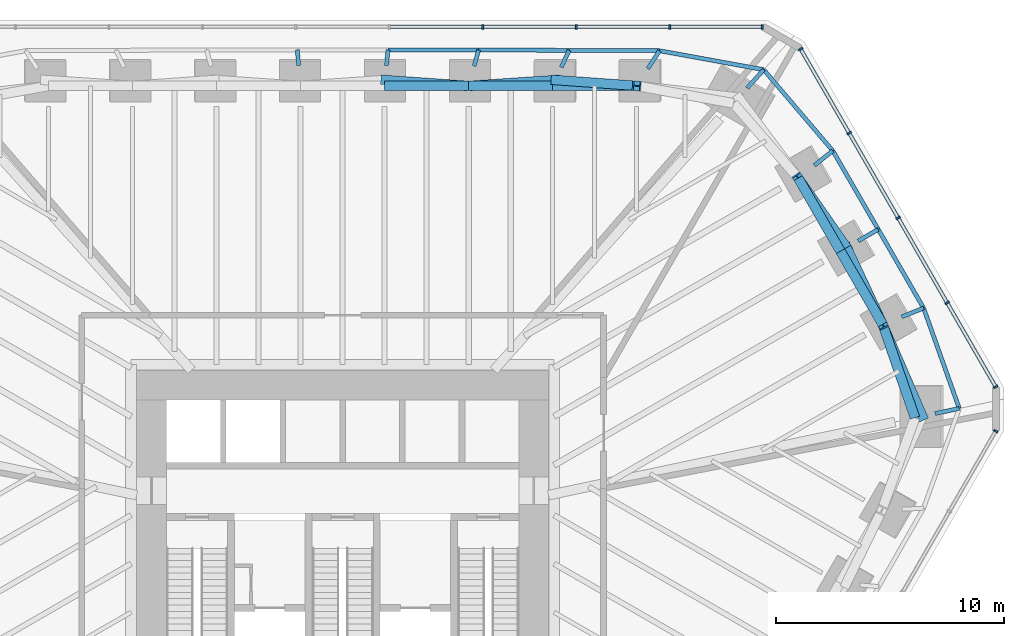
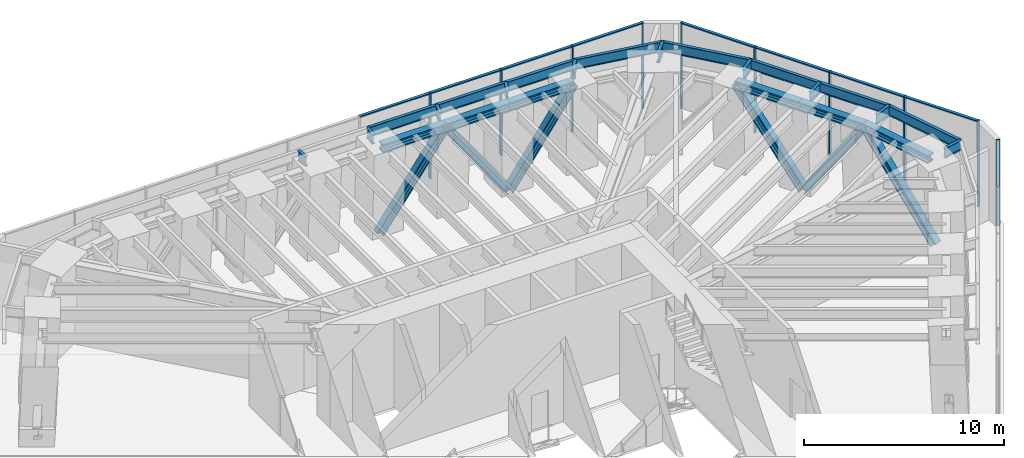
# One storey, part 8 of 12: 24 beams, 24 members, 3 elements without a shape of their own.
"""IFC4 building model written with IfcOpenShell, lengths in metres."""

from ifc_helpers import new_model, si_unit, direction, frame, origin, origin_2d, place, context, subcontext, project, spatial, rectangle, i_section, extrude, material, material_profile, profile_set, type_object, element, aggregate, save


model = new_model("IFC4")

# Units and contexts
model_context = context("Model", 3, precision=1e-05, world=origin(), true_north=direction((0.0, 1.0)))
body_context = subcontext(model_context, "Body", "Model", "MODEL_VIEW")
ifc_project = project(units=[si_unit("LENGTHUNIT", "METRE"), si_unit("AREAUNIT", "SQUARE_METRE"), si_unit("VOLUMEUNIT", "CUBIC_METRE"), si_unit("PLANEANGLEUNIT", "RADIAN"), si_unit("MASSUNIT", "GRAM", prefix="KILO")], contexts=[model_context])

# Site, building, storey
site_placement = place(None, origin())
site = spatial("IfcSite", under=ifc_project, at=site_placement, CompositionType="ELEMENT")
building_placement = place(site_placement, origin())
building = spatial("IfcBuilding", under=site, at=building_placement, Name="Sandreach Pilgrim Tower", CompositionType="ELEMENT")
storey_placement = place(building_placement, frame((0.0, 0.0, 172.800048828125)))
storey = spatial("IfcBuildingStorey", under=building, at=storey_placement, Name="L43", CompositionType="ELEMENT", Elevation=172.800048828125)

# Beams
ifc_material_1 = material(Name="Steel ASTM A913 Grade 65", Category="steel")
ifc_material_profile_1 = material_profile(ifc_material_1, i_section(OverallWidth=0.4267578125, OverallDepth=0.482666015625, WebThickness=0.05126953125, FlangeThickness=0.08154296875, at=origin_2d()), Name="W14X455")
ifc_profile_set_1 = profile_set([ifc_material_profile_1], Name="Steel ASTM A913 Grade 65")
beam_type_1 = type_object("IfcBeamType", Name="Belt truss chord W14X455", PredefinedType="BEAM", material=ifc_profile_set_1)
beam_1_placement = place(storey_placement, frame((1.84619140625, 19.900146484375, 4.99853515625), z_axis=(1.0, 0.0, 0.0), x_axis=(0.0, 1.0, 0.0)))
element("IfcBeam", 1, at=beam_1_placement, inside=storey, type_object=beam_type_1, Name="BM L43 BTT05", PredefinedType="BEAM", context=body_context, shape_type="SweptSolid", body=[
    extrude(i_section(OverallWidth=0.4267578125, OverallDepth=0.482666015625, WebThickness=0.05126953125, FlangeThickness=0.08154296875, at=origin_2d()), origin(), (0.0, 0.0, 1.0), 3.692626953125),
])
beam_2_placement = place(storey_placement, frame((5.538818359375, 19.900146484375, 4.99853515625), z_axis=(1.0, 0.0, 0.0), x_axis=(0.0, 1.0, 0.0)))
element("IfcBeam", 2, at=beam_2_placement, inside=storey, type_object=beam_type_1, Name="BM L43 BTT06", PredefinedType="BEAM", context=body_context, shape_type="SweptSolid", body=[
    extrude(i_section(OverallWidth=0.4267578125, OverallDepth=0.482666015625, WebThickness=0.05126953125, FlangeThickness=0.08154296875, at=origin_2d()), origin(), (0.0, 0.0, 1.0), 3.6923828125),
])
beam_3_placement = place(storey_placement, frame((9.231201171875, 19.900146484375, 4.99853515625), z_axis=(1.0, 0.0, 0.0), x_axis=(0.0, 1.0, 0.0)))
element("IfcBeam", 3, at=beam_3_placement, inside=storey, type_object=beam_type_1, Name="BM L43 BTT07", PredefinedType="BEAM", context=body_context, shape_type="SweptSolid", body=[
    extrude(i_section(OverallWidth=0.4267578125, OverallDepth=0.482666015625, WebThickness=0.05126953125, FlangeThickness=0.08154296875, at=origin_2d()), origin(), (0.0, 0.0, 1.0), 3.692626953125),
])
for number, where, z_axis, x_axis, name in (
    (4, (20.025146484375, 15.845947265625, 4.99853515625), (0.499995842751, -0.86602780396, 0.0), (0.86602780396, 0.499995842751, 0.0), "BM L43 BTT10"),
    (5, (21.88037109375, 12.632568359375, 4.99853515625), (0.499946491854, -0.866056294523, 0.0), (0.866056294523, 0.499946491854, 0.0), "BM L43 BTT11"),
):
    element("IfcBeam", number, at=place(storey_placement, frame(where, z_axis=z_axis, x_axis=x_axis)), inside=storey, type_object=beam_type_1, Name=name, PredefinedType="BEAM", context=body_context, shape_type="SweptSolid", body=[
        extrude(i_section(OverallWidth=0.4267578125, OverallDepth=0.482666015625, WebThickness=0.05126953125, FlangeThickness=0.08154296875, at=origin_2d()), origin(), (0.0, 0.0, 1.0), 3.71044921875),
    ])
beam_4_placement = place(storey_placement, frame((23.7353515625, 9.419189453125, 4.99853515625), z_axis=(0.326940800053, -0.945044820768, 0.0), x_axis=(0.945044820768, 0.326940800053, 0.0)))
element("IfcBeam", 6, at=beam_4_placement, inside=storey, type_object=beam_type_1, Name="BM L43 BTT12", PredefinedType="BEAM", context=body_context, shape_type="SweptSolid", body=[
    extrude(i_section(OverallWidth=0.4267578125, OverallDepth=0.482666015625, WebThickness=0.05126953125, FlangeThickness=0.08154296875, at=origin_2d()), origin(), (0.0, 0.0, 1.0), 4.3466796875),
])

# Members
ifc_material_2 = material(Name="Steel ASTM A913 Grade 65", Category="steel")
ifc_material_profile_2 = material_profile(ifc_material_2, i_section(OverallWidth=0.419189453125, OverallDepth=0.45458984375, WebThickness=0.042236328125, FlangeThickness=0.067626953125, at=origin_2d()), Name="W14X370")
ifc_profile_set_2 = profile_set([ifc_material_profile_2], Name="Steel ASTM A913 Grade 65")
member_type_1 = type_object("IfcMemberType", Name="Belt truss diagonal W14X370", PredefinedType="BRACE", material=ifc_profile_set_2)
member_1_placement = place(storey_placement, frame((1.869873046875, 20.155517578125, -0.4013671875), z_axis=(0.561567506421, -0.039087011693, 0.826507193707), x_axis=(0.069435415595, 0.997586448916, 0.0)))
element("IfcMember", 7, at=member_1_placement, inside=storey, type_object=member_type_1, Name="Belt truss diagonal L43 bay 05", PredefinedType="BRACE", context=body_context, shape_type="SweptSolid", body=[
    extrude(i_section(OverallWidth=0.419189453125, OverallDepth=0.45458984375, WebThickness=0.042236328125, FlangeThickness=0.067626953125, at=origin_2d()), origin(), (0.0, 0.0, 1.0), 6.533447265625),
])
member_2_placement = place(storey_placement, frame((5.538818359375, 19.900146484375, 4.99853515625), z_axis=(0.576161890915, 0.038610118387, -0.816423134297), x_axis=(-0.06686265931, 0.997762188495, 0.0)))
element("IfcMember", 8, at=member_2_placement, inside=storey, type_object=member_type_1, Name="Belt truss diagonal L43 bay 06", PredefinedType="BRACE", context=body_context, shape_type="SweptSolid", body=[
    extrude(i_section(OverallWidth=0.419189453125, OverallDepth=0.45458984375, WebThickness=0.042236328125, FlangeThickness=0.067626953125, at=origin_2d()), origin(), (0.0, 0.0, 1.0), 6.614013671875),
])
member_3_placement = place(storey_placement, frame((9.349609375, 20.155517578125, -0.4013671875), z_axis=(0.551519183213, -0.039404990822, 0.833230962726), x_axis=(0.07126641754, 0.997457316245, 0.0)))
element("IfcMember", 9, at=member_3_placement, inside=storey, type_object=member_type_1, Name="Belt truss diagonal L43 bay 07", PredefinedType="BRACE", context=body_context, shape_type="SweptSolid", body=[
    extrude(i_section(OverallWidth=0.419189453125, OverallDepth=0.45458984375, WebThickness=0.042236328125, FlangeThickness=0.067626953125, at=origin_2d()), origin(), (0.0, 0.0, 1.0), 6.480712890625),
])
for number, where, z_axis, x_axis, name in (
    (10, (20.025146484375, 15.845947265625, 4.99853515625), (0.324959751213, -0.465536200684, -0.823211519565), (0.819988852608, 0.572379490896, 0.0), "Belt truss diagonal L43 bay 10"),
    (11, (22.15673828125, 12.792236328125, -0.4013671875), (0.240656779722, -0.514214981232, 0.823205483127), (0.905717002036, 0.423882899187, 0.0), "Belt truss diagonal L43 bay 11"),
):
    element("IfcMember", number, at=place(storey_placement, frame(where, z_axis=z_axis, x_axis=x_axis)), inside=storey, type_object=member_type_1, Name=name, PredefinedType="BRACE", context=body_context, shape_type="SweptSolid", body=[
        extrude(i_section(OverallWidth=0.419189453125, OverallDepth=0.45458984375, WebThickness=0.042236328125, FlangeThickness=0.067626953125, at=origin_2d()), origin(), (0.0, 0.0, 1.0), 6.5595703125),
    ])
member_4_placement = place(storey_placement, frame((23.7353515625, 9.419189453125, 4.99853515625), z_axis=(0.250766618955, -0.579829901327, -0.775186034668), x_axis=(0.91784010131, 0.396950309772, 0.0)))
element("IfcMember", 12, at=member_4_placement, inside=storey, type_object=member_type_1, Name="Belt truss diagonal L43 bay 12", PredefinedType="BRACE", context=body_context, shape_type="SweptSolid", body=[
    extrude(i_section(OverallWidth=0.419189453125, OverallDepth=0.45458984375, WebThickness=0.042236328125, FlangeThickness=0.067626953125, at=origin_2d()), origin(), (0.0, 0.0, 1.0), 6.966064453125),
])

# Curtain wall, members
ifc_material_3 = material(Name="Aluminium framed curtain wall", Category="aluminium")
curtain_wall_type = type_object("IfcCurtainWallType", Name="Plant storey louvred curtain wall", PredefinedType="NOTDEFINED", material=ifc_material_3)
curtain_wall_1_placement = place(storey_placement, origin())
curtain_wall_1 = element("IfcCurtainWall", 13, at=curtain_wall_1_placement, inside=storey, type_object=curtain_wall_type, Name="CW-L L43 N", PredefinedType="NOTDEFINED")
ifc_material_4 = material(Name="Aluminium extrusion", Category="aluminium")
ifc_material_profile_3 = material_profile(ifc_material_4, rectangle(XDim=0.080078125, YDim=0.199951171875, at=origin_2d()), Name="CW-LM 80X200")
ifc_profile_set_3 = profile_set([ifc_material_profile_3], Name="Aluminium extrusion")
member_type_2 = type_object("IfcMemberType", Name="CW-L mullion", PredefinedType="MULLION", material=ifc_profile_set_3)
member_5_placement = place(storey_placement, frame((6.160400390625, 22.493896484375, 0.0), z_axis=(0.0, 0.0, 1.0), x_axis=(1.0, 0.0, 0.0)))
member_5 = element("IfcMember", 14, at=member_5_placement, type_object=member_type_2, Name="CW-L mullion 7", PredefinedType="MULLION", context=body_context, shape_type="SweptSolid", body=[
    extrude(rectangle(XDim=0.080078125, YDim=0.199951171875, at=origin_2d()), origin(), (0.0, 0.0, 1.0), 5.239990234375),
])
member_6_placement = place(storey_placement, frame((10.267333984375, 22.493896484375, 0.0), z_axis=(0.0, 0.0, 1.0), x_axis=(1.0, 0.0, 0.0)))
member_6 = element("IfcMember", 15, at=member_6_placement, type_object=member_type_2, Name="CW-L mullion 8", PredefinedType="MULLION", context=body_context, shape_type="SweptSolid", body=[
    extrude(rectangle(XDim=0.080078125, YDim=0.199951171875, at=origin_2d()), origin(), (0.0, 0.0, 1.0), 5.239990234375),
])
member_7_placement = place(storey_placement, frame((14.37451171875, 22.493896484375, 0.0), z_axis=(0.0, 0.0, 1.0), x_axis=(1.0, 0.0, 0.0)))
member_7 = element("IfcMember", 16, at=member_7_placement, type_object=member_type_2, Name="CW-L mullion 9", PredefinedType="MULLION", context=body_context, shape_type="SweptSolid", body=[
    extrude(rectangle(XDim=0.080078125, YDim=0.199951171875, at=origin_2d()), origin(), (0.0, 0.0, 1.0), 5.239990234375),
])
member_8_placement = place(storey_placement, frame((18.44140625, 22.493896484375, 0.0), z_axis=(0.0, 0.0, 1.0), x_axis=(1.0, 0.0, 0.0)))
member_8 = element("IfcMember", 17, at=member_8_placement, type_object=member_type_2, Name="CW-L mullion 10", PredefinedType="MULLION", context=body_context, shape_type="SweptSolid", body=[
    extrude(rectangle(XDim=0.080078125, YDim=0.199951171875, at=origin_2d()), origin(), (0.0, 0.0, 1.0), 5.239990234375),
])

curtain_wall_2_placement = place(storey_placement, origin())
curtain_wall_2 = element("IfcCurtainWall", 18, at=curtain_wall_2_placement, inside=storey, type_object=curtain_wall_type, Name="CW-L L43 NE", PredefinedType="NOTDEFINED")
member_9_placement = place(storey_placement, frame((20.12939453125, 21.51904296875, 0.0), z_axis=(0.0, 0.0, 1.0), x_axis=(0.5, -0.866025403784, 0.0)))
member_9 = element("IfcMember", 19, at=member_9_placement, type_object=member_type_2, Name="CW-L mullion 1", PredefinedType="MULLION", context=body_context, shape_type="SweptSolid", body=[
    extrude(rectangle(XDim=0.080078125, YDim=0.199951171875, at=origin_2d()), origin(), (0.0, 0.0, 1.0), 5.239990234375),
])
member_10_placement = place(storey_placement, frame((22.262451171875, 17.824951171875, 0.0), z_axis=(0.0, 0.0, 1.0), x_axis=(0.5, -0.866025403784, 0.0)))
member_10 = element("IfcMember", 20, at=member_10_placement, type_object=member_type_2, Name="CW-L mullion 2", PredefinedType="MULLION", context=body_context, shape_type="SweptSolid", body=[
    extrude(rectangle(XDim=0.080078125, YDim=0.199951171875, at=origin_2d()), origin(), (0.0, 0.0, 1.0), 5.239990234375),
])
member_11_placement = place(storey_placement, frame((24.415283203125, 14.09619140625, 0.0), z_axis=(0.0, 0.0, 1.0), x_axis=(0.5, -0.866025403784, 0.0)))
member_11 = element("IfcMember", 21, at=member_11_placement, type_object=member_type_2, Name="CW-L mullion 3", PredefinedType="MULLION", context=body_context, shape_type="SweptSolid", body=[
    extrude(rectangle(XDim=0.080078125, YDim=0.199951171875, at=origin_2d()), origin(), (0.0, 0.0, 1.0), 5.239990234375),
])
member_12_placement = place(storey_placement, frame((26.568115234375, 10.3671875, 0.0), z_axis=(0.0, 0.0, 1.0), x_axis=(0.5, -0.866025403784, 0.0)))
member_12 = element("IfcMember", 22, at=member_12_placement, type_object=member_type_2, Name="CW-L mullion 4", PredefinedType="MULLION", context=body_context, shape_type="SweptSolid", body=[
    extrude(rectangle(XDim=0.080078125, YDim=0.199951171875, at=origin_2d()), origin(), (0.0, 0.0, 1.0), 5.239990234375),
])
member_13_placement = place(storey_placement, frame((28.700927734375, 6.673095703125, 0.0), z_axis=(0.0, 0.0, 1.0), x_axis=(0.5, -0.866025403784, 0.0)))
member_13 = element("IfcMember", 23, at=member_13_placement, type_object=member_type_2, Name="CW-L mullion 5", PredefinedType="MULLION", context=body_context, shape_type="SweptSolid", body=[
    extrude(rectangle(XDim=0.080078125, YDim=0.199951171875, at=origin_2d()), origin(), (0.0, 0.0, 1.0), 5.239990234375),
])

# Curtain wall, member
curtain_wall_3_placement = place(storey_placement, origin())
curtain_wall_3 = element("IfcCurtainWall", 24, at=curtain_wall_3_placement, inside=storey, type_object=curtain_wall_type, Name="CW-L L43 SE", PredefinedType="NOTDEFINED")
member_14_placement = place(storey_placement, frame((28.700927734375, 4.723876953125, 0.0), z_axis=(0.0, 0.0, 1.0), x_axis=(-0.5, -0.866025403784, 0.0)))
member_14 = element("IfcMember", 25, at=member_14_placement, type_object=member_type_2, Name="CW-L mullion 1", PredefinedType="MULLION", context=body_context, shape_type="SweptSolid", body=[
    extrude(rectangle(XDim=0.080078125, YDim=0.199951171875, at=origin_2d()), origin(), (0.0, 0.0, 1.0), 5.239990234375),
])
aggregate(curtain_wall_3, [member_14])

# Member
ifc_material_5 = material(Name="Aluminium extrusion", Category="aluminium")
ifc_material_profile_4 = material_profile(ifc_material_5, rectangle(XDim=0.159912109375, YDim=0.070068359375, at=origin_2d()), Name="CW-LT 160X70")
ifc_profile_set_4 = profile_set([ifc_material_profile_4], Name="Aluminium extrusion")
member_type_3 = type_object("IfcMemberType", Name="CW-L transom", PredefinedType="USERDEFINED", material=ifc_profile_set_4)
member_15_placement = place(storey_placement, frame((2.093505859375, 22.493896484375, 5.204833984375), z_axis=(1.0, 0.0, 0.0), x_axis=(0.0, 1.0, 0.0)))
member_15 = element("IfcMember", 26, at=member_15_placement, type_object=member_type_3, Name="CW-L head transom 6", ObjectType="TRANSOM", PredefinedType="USERDEFINED", context=body_context, shape_type="SweptSolid", body=[
    extrude(rectangle(XDim=0.159912109375, YDim=0.070068359375, at=origin_2d()), origin(), (0.0, 0.0, 1.0), 4.02685546875),
])

member_16_placement = place(storey_placement, frame((6.200439453125, 22.493896484375, 5.204833984375), z_axis=(1.0, 0.0, 0.0), x_axis=(0.0, 1.0, 0.0)))
member_16 = element("IfcMember", 27, at=member_16_placement, type_object=member_type_3, Name="CW-L head transom 7", ObjectType="TRANSOM", PredefinedType="USERDEFINED", context=body_context, shape_type="SweptSolid", body=[
    extrude(rectangle(XDim=0.159912109375, YDim=0.070068359375, at=origin_2d()), origin(), (0.0, 0.0, 1.0), 4.027099609375),
])

member_17_placement = place(storey_placement, frame((10.307373046875, 22.493896484375, 5.204833984375), z_axis=(1.0, 0.0, 0.0), x_axis=(0.0, 1.0, 0.0)))
member_17 = element("IfcMember", 28, at=member_17_placement, type_object=member_type_3, Name="CW-L head transom 8", ObjectType="TRANSOM", PredefinedType="USERDEFINED", context=body_context, shape_type="SweptSolid", body=[
    extrude(rectangle(XDim=0.159912109375, YDim=0.070068359375, at=origin_2d()), origin(), (0.0, 0.0, 1.0), 4.027099609375),
])

member_18_placement = place(storey_placement, frame((14.414306640625, 22.493896484375, 5.204833984375), z_axis=(1.0, 0.0, 0.0), x_axis=(0.0, 1.0, 0.0)))
member_18 = element("IfcMember", 29, at=member_18_placement, type_object=member_type_3, Name="CW-L head transom 9", ObjectType="TRANSOM", PredefinedType="USERDEFINED", context=body_context, shape_type="SweptSolid", body=[
    extrude(rectangle(XDim=0.159912109375, YDim=0.070068359375, at=origin_2d()), origin(), (0.0, 0.0, 1.0), 3.987060546875),
])

aggregate(curtain_wall_1, [member_5, member_6, member_7, member_8, member_15, member_16, member_17, member_18])

member_19_placement = place(storey_placement, frame((20.1494140625, 21.484619140625, 5.204833984375), z_axis=(0.500022011907, -0.866012694831, 0.0), x_axis=(0.866012694831, 0.500022011907, 0.0)))
member_19 = element("IfcMember", 30, at=member_19_placement, type_object=member_type_3, Name="CW-L head transom 1", ObjectType="TRANSOM", PredefinedType="USERDEFINED", context=body_context, shape_type="SweptSolid", body=[
    extrude(rectangle(XDim=0.159912109375, YDim=0.070068359375, at=origin_2d()), origin(), (0.0, 0.0, 1.0), 4.185791015625),
])

member_20_placement = place(storey_placement, frame((22.2822265625, 17.790283203125, 5.204833984375), z_axis=(0.500047526083, -0.865997962849, 0.0), x_axis=(0.865997962849, 0.500047526083, 0.0)))
member_20 = element("IfcMember", 31, at=member_20_placement, type_object=member_type_3, Name="CW-L head transom 2", ObjectType="TRANSOM", PredefinedType="USERDEFINED", context=body_context, shape_type="SweptSolid", body=[
    extrude(rectangle(XDim=0.159912109375, YDim=0.070068359375, at=origin_2d()), origin(), (0.0, 0.0, 1.0), 4.2255859375),
])

member_21_placement = place(storey_placement, frame((24.435302734375, 14.0615234375, 5.204833984375), z_axis=(0.499979177903, -0.866037425094, 0.0), x_axis=(0.866037425094, 0.499979177903, 0.0)))
member_21 = element("IfcMember", 32, at=member_21_placement, type_object=member_type_3, Name="CW-L head transom 3", ObjectType="TRANSOM", PredefinedType="USERDEFINED", context=body_context, shape_type="SweptSolid", body=[
    extrude(rectangle(XDim=0.159912109375, YDim=0.070068359375, at=origin_2d()), origin(), (0.0, 0.0, 1.0), 4.225830078125),
])

member_22_placement = place(storey_placement, frame((26.588134765625, 10.33251953125, 5.204833984375), z_axis=(0.500003523994, -0.866023369196, 0.0), x_axis=(0.866023369196, 0.500003523994, 0.0)))
member_22 = element("IfcMember", 33, at=member_22_placement, type_object=member_type_3, Name="CW-L head transom 4", ObjectType="TRANSOM", PredefinedType="USERDEFINED", context=body_context, shape_type="SweptSolid", body=[
    extrude(rectangle(XDim=0.159912109375, YDim=0.070068359375, at=origin_2d()), origin(), (0.0, 0.0, 1.0), 4.185546875),
])

aggregate(curtain_wall_2, [member_9, member_10, member_11, member_12, member_13, member_19, member_20, member_21, member_22])

# Beams
ifc_material_6 = material(Name="Steel ASTM A992 Grade 50", Category="steel")
ifc_material_profile_5 = material_profile(ifc_material_6, i_section(OverallWidth=0.1787109375, OverallDepth=0.60205078125, WebThickness=0.010986328125, FlangeThickness=0.014892578125, at=origin_2d()), Name="W24X62")
ifc_profile_set_5 = profile_set([ifc_material_profile_5], Name="Steel ASTM A992 Grade 50")
beam_type_2 = type_object("IfcBeamType", Name="Setback roof edge beam W24X62", PredefinedType="BEAM", material=ifc_profile_set_5)
beam_5_placement = place(storey_placement, frame((1.9931640625, 21.482666015625, 4.89892578125), z_axis=(0.999997955144, -0.00202230252, 0.0), x_axis=(0.00202230252, 0.999997955144, 0.0)))
element("IfcBeam", 34, at=beam_5_placement, inside=storey, type_object=beam_type_2, Name="BM L43 RE05", PredefinedType="BEAM", context=body_context, shape_type="SweptSolid", body=[
    extrude(i_section(OverallWidth=0.1787109375, OverallDepth=0.60205078125, WebThickness=0.010986328125, FlangeThickness=0.014892578125, at=origin_2d()), origin(), (0.0, 0.0, 1.0), 3.98388671875),
])
beam_6_placement = place(storey_placement, frame((5.97705078125, 21.474609375, 4.89892578125), z_axis=(0.999993881284, -0.003498198799, 0.0), x_axis=(0.003498198799, 0.999993881284, 0.0)))
element("IfcBeam", 35, at=beam_6_placement, inside=storey, type_object=beam_type_2, Name="BM L43 RE06", PredefinedType="BEAM", context=body_context, shape_type="SweptSolid", body=[
    extrude(i_section(OverallWidth=0.1787109375, OverallDepth=0.60205078125, WebThickness=0.010986328125, FlangeThickness=0.014892578125, at=origin_2d()), origin(), (0.0, 0.0, 1.0), 3.97802734375),
])
beam_7_placement = place(storey_placement, frame((9.955078125, 21.460693359375, 4.89892578125), z_axis=(0.999990472645, -0.004365159764, 0.0), x_axis=(0.004365159764, 0.999990472645, 0.0)))
element("IfcBeam", 36, at=beam_7_placement, inside=storey, type_object=beam_type_2, Name="BM L43 RE07", PredefinedType="BEAM", context=body_context, shape_type="SweptSolid", body=[
    extrude(i_section(OverallWidth=0.1787109375, OverallDepth=0.60205078125, WebThickness=0.010986328125, FlangeThickness=0.014892578125, at=origin_2d()), origin(), (0.0, 0.0, 1.0), 3.970947265625),
])
beam_8_placement = place(storey_placement, frame((13.926025390625, 21.443359375, 4.89892578125), z_axis=(0.983843049295, -0.179033109658, 0.0), x_axis=(0.179033109658, 0.983843049295, 0.0)))
element("IfcBeam", 37, at=beam_8_placement, inside=storey, type_object=beam_type_2, Name="BM L43 RE08", PredefinedType="BEAM", context=body_context, shape_type="SweptSolid", body=[
    extrude(i_section(OverallWidth=0.1787109375, OverallDepth=0.60205078125, WebThickness=0.010986328125, FlangeThickness=0.014892578125, at=origin_2d()), origin(), (0.0, 0.0, 1.0), 4.655517578125),
])
beam_9_placement = place(storey_placement, frame((18.50634765625, 20.60986328125, 4.89892578125), z_axis=(0.648563831329, -0.761160270043, 0.0), x_axis=(0.761160270043, 0.648563831329, 0.0)))
element("IfcBeam", 38, at=beam_9_placement, inside=storey, type_object=beam_type_2, Name="BM L43 RE09", PredefinedType="BEAM", context=body_context, shape_type="SweptSolid", body=[
    extrude(i_section(OverallWidth=0.1787109375, OverallDepth=0.60205078125, WebThickness=0.010986328125, FlangeThickness=0.014892578125, at=origin_2d()), origin(), (0.0, 0.0, 1.0), 4.681396484375),
])
beam_10_placement = place(storey_placement, frame((21.54248046875, 17.046630859375, 4.89892578125), z_axis=(0.500558817583, -0.865702529822, 0.0), x_axis=(0.865702529822, 0.500558817583, 0.0)))
element("IfcBeam", 39, at=beam_10_placement, inside=storey, type_object=beam_type_2, Name="BM L43 RE10", PredefinedType="BEAM", context=body_context, shape_type="SweptSolid", body=[
    extrude(i_section(OverallWidth=0.1787109375, OverallDepth=0.60205078125, WebThickness=0.010986328125, FlangeThickness=0.014892578125, at=origin_2d()), origin(), (0.0, 0.0, 1.0), 3.99169921875),
])
beam_11_placement = place(storey_placement, frame((23.54052734375, 13.591064453125, 4.89892578125), z_axis=(0.499422362697, -0.86635864608, 0.0), x_axis=(0.86635864608, 0.499422362697, 0.0)))
element("IfcBeam", 40, at=beam_11_placement, inside=storey, type_object=beam_type_2, Name="BM L43 RE11", PredefinedType="BEAM", context=body_context, shape_type="SweptSolid", body=[
    extrude(i_section(OverallWidth=0.1787109375, OverallDepth=0.60205078125, WebThickness=0.010986328125, FlangeThickness=0.014892578125, at=origin_2d()), origin(), (0.0, 0.0, 1.0), 3.991455078125),
])
beam_12_placement = place(storey_placement, frame((25.533935546875, 10.133056640625, 4.89892578125), z_axis=(0.334925298122, -0.942244684081, 0.0), x_axis=(0.942244684081, 0.334925298122, 0.0)))
element("IfcBeam", 41, at=beam_12_placement, inside=storey, type_object=beam_type_2, Name="BM L43 RE12", PredefinedType="BEAM", context=body_context, shape_type="SweptSolid", body=[
    extrude(i_section(OverallWidth=0.1787109375, OverallDepth=0.60205078125, WebThickness=0.010986328125, FlangeThickness=0.014892578125, at=origin_2d()), origin(), (0.0, 0.0, 1.0), 4.68115234375),
])
ifc_material_7 = material(Name="Steel ASTM A992 Grade 50", Category="steel")
ifc_material_profile_6 = material_profile(ifc_material_7, i_section(OverallWidth=0.1787109375, OverallDepth=0.60205078125, WebThickness=0.010986328125, FlangeThickness=0.014892578125, at=origin_2d()), Name="W24X62")
ifc_profile_set_6 = profile_set([ifc_material_profile_6], Name="Steel ASTM A992 Grade 50")
beam_type_3 = type_object("IfcBeamType", Name="Setback roof outlooker W24X62", PredefinedType="BEAM", material=ifc_profile_set_6)
for number, where, z_axis, x_axis, name in (
    (42, (-1.929443359375, 20.796142578125, 4.89892578125), (-0.092419262934, 0.995720181496, 0.0), (-0.995720181496, -0.092419262934, 0.0), "BM L43 OL04"),
    (43, (1.929443359375, 20.796142578125, 4.89892578125), (0.092419262934, 0.995720181496, 0.0), (-0.995720181496, 0.092419262934, 0.0), "BM L43 OL05"),
):
    element("IfcBeam", number, at=place(storey_placement, frame(where, z_axis=z_axis, x_axis=x_axis)), inside=storey, type_object=beam_type_3, Name=name, PredefinedType="BEAM", context=body_context, shape_type="SweptSolid", body=[
        extrude(i_section(OverallWidth=0.1787109375, OverallDepth=0.60205078125, WebThickness=0.010986328125, FlangeThickness=0.014892578125, at=origin_2d()), origin(), (0.0, 0.0, 1.0), 0.689453125),
    ])
beam_13_placement = place(storey_placement, frame((5.780029296875, 20.76708984375, 4.89892578125), z_axis=(0.268261019813, 0.96334626446, 0.0), x_axis=(-0.96334626446, 0.268261019813, 0.0)))
element("IfcBeam", 44, at=beam_13_placement, inside=storey, type_object=beam_type_3, Name="BM L43 OL06", PredefinedType="BEAM", context=body_context, shape_type="SweptSolid", body=[
    extrude(i_section(OverallWidth=0.1787109375, OverallDepth=0.60205078125, WebThickness=0.010986328125, FlangeThickness=0.014892578125, at=origin_2d()), origin(), (0.0, 0.0, 1.0), 0.734375),
])
beam_14_placement = place(storey_placement, frame((9.60986328125, 20.716552734375, 4.89892578125), z_axis=(0.420831469536, 0.907138839565, 0.0), x_axis=(-0.907138839565, 0.420831469536, 0.0)))
element("IfcBeam", 45, at=beam_14_placement, inside=storey, type_object=beam_type_3, Name="BM L43 OL07", PredefinedType="BEAM", context=body_context, shape_type="SweptSolid", body=[
    extrude(i_section(OverallWidth=0.1787109375, OverallDepth=0.60205078125, WebThickness=0.010986328125, FlangeThickness=0.014892578125, at=origin_2d()), origin(), (0.0, 0.0, 1.0), 0.8203125),
])
beam_15_placement = place(storey_placement, frame((13.413818359375, 20.65478515625, 4.89892578125), z_axis=(0.544714541068, 0.838621528909, 0.0), x_axis=(-0.838621528909, 0.544714541068, 0.0)))
element("IfcBeam", 46, at=beam_15_placement, inside=storey, type_object=beam_type_3, Name="BM L43 OL08", PredefinedType="BEAM", context=body_context, shape_type="SweptSolid", body=[
    extrude(i_section(OverallWidth=0.1787109375, OverallDepth=0.60205078125, WebThickness=0.010986328125, FlangeThickness=0.014892578125, at=origin_2d()), origin(), (0.0, 0.0, 1.0), 0.9404296875),
])
beam_16_placement = place(storey_placement, frame((17.779296875, 19.80029296875, 4.89892578125), z_axis=(0.668171001482, 0.744007737043, 0.0), x_axis=(-0.744007737043, 0.668171001482, 0.0)))
element("IfcBeam", 47, at=beam_16_placement, inside=storey, type_object=beam_type_3, Name="BM L43 OL09", PredefinedType="BEAM", context=body_context, shape_type="SweptSolid", body=[
    extrude(i_section(OverallWidth=0.1787109375, OverallDepth=0.60205078125, WebThickness=0.010986328125, FlangeThickness=0.014892578125, at=origin_2d()), origin(), (0.0, 0.0, 1.0), 1.088134765625),
])
beam_17_placement = place(storey_placement, frame((20.730712890625, 16.404296875, 4.89892578125), z_axis=(0.7841940565, 0.620515657941, 0.0), x_axis=(-0.620515657941, 0.7841940565, 0.0)))
element("IfcBeam", 48, at=beam_17_placement, inside=storey, type_object=beam_type_3, Name="BM L43 OL10", PredefinedType="BEAM", context=body_context, shape_type="SweptSolid", body=[
    extrude(i_section(OverallWidth=0.1787109375, OverallDepth=0.60205078125, WebThickness=0.010986328125, FlangeThickness=0.014892578125, at=origin_2d()), origin(), (0.0, 0.0, 1.0), 1.03515625),
])
beam_18_placement = place(storey_placement, frame((22.65966796875, 13.08251953125, 4.89892578125), z_axis=(0.866033694824, 0.499985639223, 0.0), x_axis=(-0.499985639223, 0.866033694824, 0.0)))
element("IfcBeam", 49, at=beam_18_placement, inside=storey, type_object=beam_type_3, Name="BM L43 OL11", PredefinedType="BEAM", context=body_context, shape_type="SweptSolid", body=[
    extrude(i_section(OverallWidth=0.1787109375, OverallDepth=0.60205078125, WebThickness=0.010986328125, FlangeThickness=0.014892578125, at=origin_2d()), origin(), (0.0, 0.0, 1.0), 1.01708984375),
])
beam_19_placement = place(storey_placement, frame((24.572021484375, 9.751220703125, 4.89892578125), z_axis=(0.929449625575, 0.368949039188, 0.0), x_axis=(-0.368949039188, 0.929449625575, 0.0)))
element("IfcBeam", 50, at=beam_19_placement, inside=storey, type_object=beam_type_3, Name="BM L43 OL12", PredefinedType="BEAM", context=body_context, shape_type="SweptSolid", body=[
    extrude(i_section(OverallWidth=0.1787109375, OverallDepth=0.60205078125, WebThickness=0.010986328125, FlangeThickness=0.014892578125, at=origin_2d()), origin(), (0.0, 0.0, 1.0), 1.034912109375),
])
beam_20_placement = place(storey_placement, frame((26.037109375, 5.497314453125, 4.89892578125), z_axis=(0.978418663161, 0.206632329459, 0.0), x_axis=(-0.206632329459, 0.978418663161, 0.0)))
element("IfcBeam", 51, at=beam_20_placement, inside=storey, type_object=beam_type_3, Name="BM L43 OL13", PredefinedType="BEAM", context=body_context, shape_type="SweptSolid", body=[
    extrude(i_section(OverallWidth=0.1787109375, OverallDepth=0.60205078125, WebThickness=0.010986328125, FlangeThickness=0.014892578125, at=origin_2d()), origin(), (0.0, 0.0, 1.0), 1.088134765625),
])

save(model, "model.ifc")
